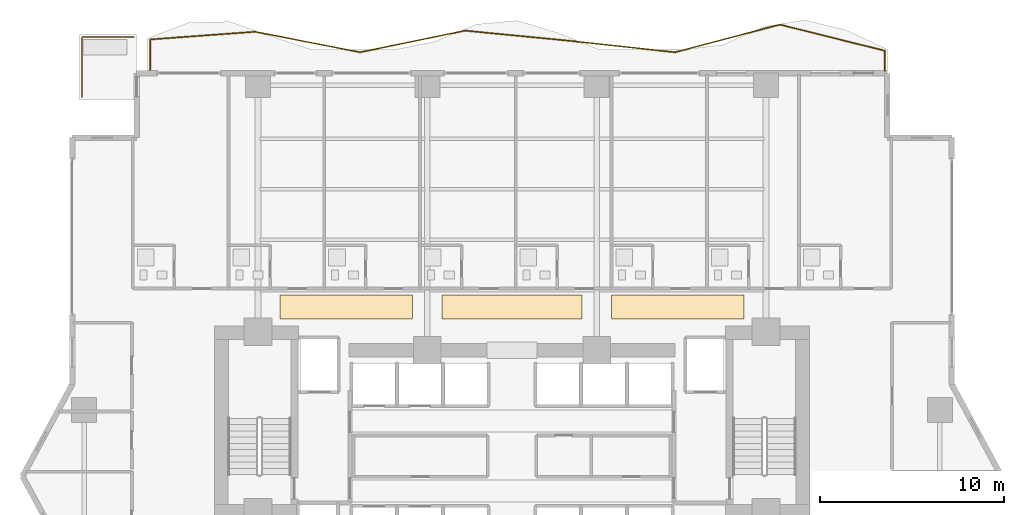
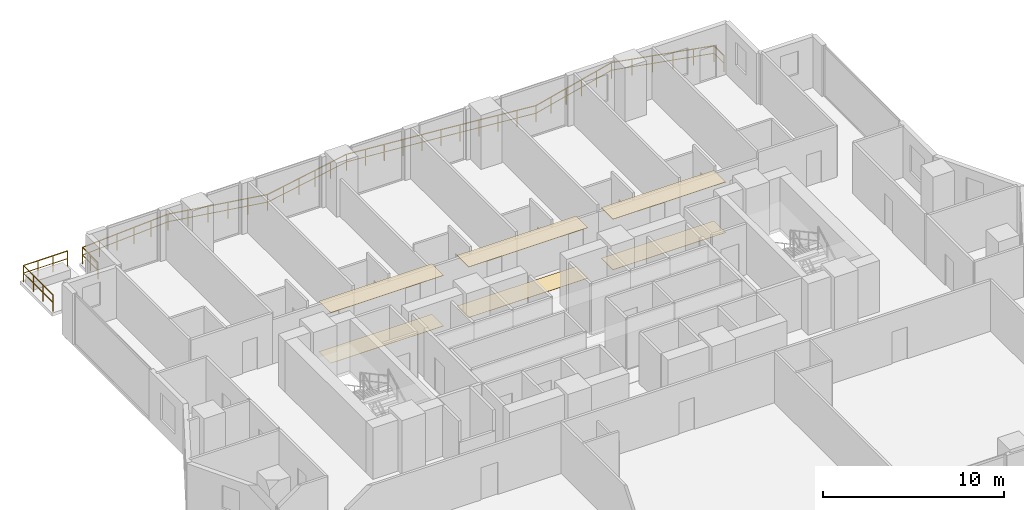
# One storey, part 28 of 29: 6 coverings, 2 railings.
"""IFC4 building model written with IfcOpenShell, lengths in metres."""

from ifc_helpers import new_model, si_unit, direction, frame, origin, origin_2d, place, context, subcontext, project, spatial, polyline, rectangle, outline, extrude, material, layer, layer_set, type_object, element, save


model = new_model("IFC4")

# Units and contexts
model_context = context("Model", 3, precision=1e-05, world=origin(), true_north=direction((0.0, 1.0)))
body_context = subcontext(model_context, "Body", "Model", "MODEL_VIEW")
ifc_project = project(units=[si_unit("LENGTHUNIT", "METRE"), si_unit("AREAUNIT", "SQUARE_METRE"), si_unit("VOLUMEUNIT", "CUBIC_METRE"), si_unit("PLANEANGLEUNIT", "RADIAN"), si_unit("MASSUNIT", "GRAM", prefix="KILO")], contexts=[model_context])

# Site, building, storey
site_placement = place(None, origin())
site = spatial("IfcSite", under=ifc_project, at=site_placement, CompositionType="ELEMENT")
building_placement = place(site_placement, origin())
building = spatial("IfcBuilding", under=site, at=building_placement, Name="Zuhayl Quay Hotel", CompositionType="ELEMENT")
storey_placement = place(building_placement, frame((0.0, 0.0, 106.60009765625)))
storey = spatial("IfcBuildingStorey", under=building, at=storey_placement, Name="L26", CompositionType="ELEMENT", Elevation=106.60009765625)

# Coverings
ifc_material_1 = material(Name="Acoustic Mineral-Fibre Gypsum Board")
ifc_layer_1 = layer(ifc_material_1, 0.02490234375, Name="Acoustic Mineral-Fibre Gypsum Board")
ifc_layer_set_1 = layer_set([ifc_layer_1], Name="Acoustic Mineral-Fibre Gypsum Board")
covering_type_1 = type_object("IfcCoveringType", Name="CV_CEIL_ACOUSTIC", PredefinedType="CEILING", material=ifc_layer_set_1)
covering_1_placement = place(storey_placement, frame((0.0, 0.0, 3.40478515625)))
element("IfcCovering", 1, at=covering_1_placement, inside=storey, type_object=covering_type_1, Name="L26 Guest Corridor Acoustic Ceiling CW", PredefinedType="CEILING", context=body_context, shape_type="SweptSolid", body=[
    extrude(outline(polyline([(-12.60009765625, 15.050048828125), (-5.39990234375, 15.050048828125), (-5.39990234375, 16.35009765625), (-12.60009765625, 16.35009765625), (-12.60009765625, 15.050048828125)])), origin(), (0.0, 0.0, 1.0), 0.025146484375),
])
covering_2_placement = place(storey_placement, frame((0.0, 0.0, 3.40478515625)))
element("IfcCovering", 2, at=covering_2_placement, inside=storey, type_object=covering_type_1, Name="L26 Guest Corridor Acoustic Ceiling CC", PredefinedType="CEILING", context=body_context, shape_type="SweptSolid", body=[
    extrude(outline(polyline([(-3.800048828125, 15.050048828125), (3.800048828125, 15.050048828125), (3.800048828125, 16.35009765625), (-3.800048828125, 16.35009765625), (-3.800048828125, 15.050048828125)])), origin(), (0.0, 0.0, 1.0), 0.025146484375),
])
covering_3_placement = place(storey_placement, frame((0.0, 0.0, 3.40478515625)))
element("IfcCovering", 3, at=covering_3_placement, inside=storey, type_object=covering_type_1, Name="L26 Guest Corridor Acoustic Ceiling CE", PredefinedType="CEILING", context=body_context, shape_type="SweptSolid", body=[
    extrude(outline(polyline([(5.39990234375, 15.050048828125), (12.60009765625, 15.050048828125), (12.60009765625, 16.35009765625), (5.39990234375, 16.35009765625), (5.39990234375, 15.050048828125)])), origin(), (0.0, 0.0, 1.0), 0.025146484375),
])
ifc_material_2 = material(Name="Polished Limestone Terrazzo", Category="masonry")
ifc_layer_2 = layer(ifc_material_2, 0.02001953125, Name="Polished Limestone Terrazzo", Category="masonry")
ifc_layer_set_2 = layer_set([ifc_layer_2], Name="Polished Limestone Terrazzo")
covering_type_2 = type_object("IfcCoveringType", Name="CV_FLOOR_TERRAZZO", PredefinedType="FLOORING", material=ifc_layer_set_2)
covering_4_placement = place(storey_placement, origin())
element("IfcCovering", 4, at=covering_4_placement, inside=storey, type_object=covering_type_2, Name="L26 Guest Corridor Terrazzo Runner CW", PredefinedType="FLOORING", context=body_context, shape_type="SweptSolid", body=[
    extrude(outline(polyline([(-12.60009765625, 15.050048828125), (-5.39990234375, 15.050048828125), (-5.39990234375, 16.35009765625), (-12.60009765625, 16.35009765625), (-12.60009765625, 15.050048828125)])), origin(), (0.0, 0.0, 1.0), 0.02001953125),
])
covering_5_placement = place(storey_placement, origin())
element("IfcCovering", 5, at=covering_5_placement, inside=storey, type_object=covering_type_2, Name="L26 Guest Corridor Terrazzo Runner CC", PredefinedType="FLOORING", context=body_context, shape_type="SweptSolid", body=[
    extrude(outline(polyline([(-3.800048828125, 15.050048828125), (3.800048828125, 15.050048828125), (3.800048828125, 16.35009765625), (-3.800048828125, 16.35009765625), (-3.800048828125, 15.050048828125)])), origin(), (0.0, 0.0, 1.0), 0.02001953125),
])
covering_6_placement = place(storey_placement, origin())
element("IfcCovering", 6, at=covering_6_placement, inside=storey, type_object=covering_type_2, Name="L26 Guest Corridor Terrazzo Runner CE", PredefinedType="FLOORING", context=body_context, shape_type="SweptSolid", body=[
    extrude(outline(polyline([(5.39990234375, 15.050048828125), (12.60009765625, 15.050048828125), (12.60009765625, 16.35009765625), (5.39990234375, 16.35009765625), (5.39990234375, 15.050048828125)])), origin(), (0.0, 0.0, 1.0), 0.02001953125),
])

# Railings
ifc_material_3 = material(Name="Anodised Aluminium and Laminated Glass", Category="aluminium")
railing_type = type_object("IfcRailingType", Name="RL_EXT_BAL_1100", PredefinedType="BALUSTRADE", material=ifc_material_3)
railing_1_placement = place(storey_placement, frame((-19.659912109375, 28.52001953125, 0.0)))
element("IfcRailing", 7, at=railing_1_placement, inside=storey, type_object=railing_type, Name="L26 Balcony and Terrace Guard GR_L26_BAL_N", PredefinedType="BALUSTRADE", context=body_context, shape_type="SweptSolid", body=[
    extrude(rectangle(XDim=0.048095703125, YDim=0.048095703125, at=origin_2d()), frame((0.0, 0.0, 1.09619140625), z_axis=(0.0, 1.0, 0.0), x_axis=(-1.0, 0.0, 0.0)), (0.0, 0.0, 1.0), 1.716796875),
    extrude(rectangle(XDim=0.0361328125, YDim=0.0361328125, at=origin_2d()), frame((0.0, 0.0, 0.58251953125), z_axis=(0.0, 1.0, 0.0), x_axis=(-1.0, 0.0, 0.0)), (0.0, 0.0, 1.0), 1.716796875),
    extrude(rectangle(XDim=0.048095703125, YDim=0.048095703125, at=origin_2d()), frame((0.0, 1.716796875, 1.09619140625), z_axis=(0.997331221891, 0.073009820174, 0.0), x_axis=(-0.073009820174, 0.997331221891, 0.0)), (0.0, 0.0, 1.0), 5.71826171875),
    extrude(rectangle(XDim=0.0361328125, YDim=0.0361328125, at=origin_2d()), frame((0.0, 1.716796875, 0.58251953125), z_axis=(0.997331221891, 0.073009820174, 0.0), x_axis=(-0.073009820174, 0.997331221891, 0.0)), (0.0, 0.0, 1.0), 5.71826171875),
    extrude(rectangle(XDim=0.048095703125, YDim=0.048095703125, at=origin_2d()), frame((5.702880859375, 2.13427734375, 1.09619140625), z_axis=(0.981440474785, -0.19176703172, 0.0), x_axis=(0.19176703172, 0.981440474785, 0.0)), (0.0, 0.0, 1.0), 5.810546875),
    extrude(rectangle(XDim=0.0361328125, YDim=0.0361328125, at=origin_2d()), frame((5.702880859375, 2.13427734375, 0.58251953125), z_axis=(0.981440474785, -0.19176703172, 0.0), x_axis=(0.19176703172, 0.981440474785, 0.0)), (0.0, 0.0, 1.0), 5.810546875),
    extrude(rectangle(XDim=0.048095703125, YDim=0.048095703125, at=origin_2d()), frame((11.405517578125, 1.02001953125, 1.09619140625), z_axis=(0.979425610518, 0.201805533774, 0.0), x_axis=(-0.201805533774, 0.979425610518, 0.0)), (0.0, 0.0, 1.0), 5.82275390625),
    extrude(rectangle(XDim=0.0361328125, YDim=0.0361328125, at=origin_2d()), frame((11.405517578125, 1.02001953125, 0.58251953125), z_axis=(0.979425610518, 0.201805533774, 0.0), x_axis=(-0.201805533774, 0.979425610518, 0.0)), (0.0, 0.0, 1.0), 5.82275390625),
    extrude(rectangle(XDim=0.048095703125, YDim=0.048095703125, at=origin_2d()), frame((17.1083984375, 2.195068359375, 1.09619140625), z_axis=(0.995315422736, -0.096680966402, 0.0), x_axis=(0.096680966402, 0.995315422736, 0.0)), (0.0, 0.0, 1.0), 5.729736328125),
    extrude(rectangle(XDim=0.0361328125, YDim=0.0361328125, at=origin_2d()), frame((17.1083984375, 2.195068359375, 0.58251953125), z_axis=(0.995315422736, -0.096680966402, 0.0), x_axis=(0.096680966402, 0.995315422736, 0.0)), (0.0, 0.0, 1.0), 5.729736328125),
    extrude(rectangle(XDim=0.048095703125, YDim=0.048095703125, at=origin_2d()), frame((22.811279296875, 1.64111328125, 1.09619140625), z_axis=(0.99412168092, -0.108268571268, 0.0), x_axis=(0.108268571268, 0.99412168092, 0.0)), (0.0, 0.0, 1.0), 5.736572265625),
    extrude(rectangle(XDim=0.0361328125, YDim=0.0361328125, at=origin_2d()), frame((22.811279296875, 1.64111328125, 0.58251953125), z_axis=(0.99412168092, -0.108268571268, 0.0), x_axis=(0.108268571268, 0.99412168092, 0.0)), (0.0, 0.0, 1.0), 5.736572265625),
    extrude(rectangle(XDim=0.048095703125, YDim=0.048095703125, at=origin_2d()), frame((28.51416015625, 1.02001953125, 1.09619140625), z_axis=(0.966973652011, 0.254876354957, 0.0), x_axis=(-0.254876354957, 0.966973652011, 0.0)), (0.0, 0.0, 1.0), 5.897705078125),
    extrude(rectangle(XDim=0.0361328125, YDim=0.0361328125, at=origin_2d()), frame((28.51416015625, 1.02001953125, 0.58251953125), z_axis=(0.966973652011, 0.254876354957, 0.0), x_axis=(-0.254876354957, 0.966973652011, 0.0)), (0.0, 0.0, 1.0), 5.897705078125),
    extrude(rectangle(XDim=0.048095703125, YDim=0.048095703125, at=origin_2d()), frame((34.217041015625, 2.523193359375, 1.09619140625), z_axis=(0.970296241283, -0.241919830011, 0.0), x_axis=(0.241919830011, 0.970296241283, 0.0)), (0.0, 0.0, 1.0), 5.87744140625),
    extrude(rectangle(XDim=0.0361328125, YDim=0.0361328125, at=origin_2d()), frame((34.217041015625, 2.523193359375, 0.58251953125), z_axis=(0.970296241283, -0.241919830011, 0.0), x_axis=(0.241919830011, 0.970296241283, 0.0)), (0.0, 0.0, 1.0), 5.87744140625),
    extrude(rectangle(XDim=0.048095703125, YDim=0.048095703125, at=origin_2d()), frame((39.919921875, 1.101318359375, 1.09619140625), z_axis=(0.0, -1.0, 0.0), x_axis=(1.0, 0.0, 0.0)), (0.0, 0.0, 1.0), 1.101318359375),
    extrude(rectangle(XDim=0.0361328125, YDim=0.0361328125, at=origin_2d()), frame((39.919921875, 1.101318359375, 0.58251953125), z_axis=(0.0, -1.0, 0.0), x_axis=(1.0, 0.0, 0.0)), (0.0, 0.0, 1.0), 1.101318359375),
    extrude(rectangle(XDim=0.0419921875, YDim=0.0419921875, at=origin_2d()), origin(), (0.0, 0.0, 1.0), 1.072021484375),
    extrude(rectangle(XDim=0.0419921875, YDim=0.0419921875, at=origin_2d()), frame((0.0, 0.8583984375, 0.0)), (0.0, 0.0, 1.0), 1.072021484375),
    extrude(rectangle(XDim=0.0419921875, YDim=0.0419921875, at=origin_2d()), frame((0.0, 1.716796875, 0.0)), (0.0, 0.0, 1.0), 1.072021484375),
    extrude(rectangle(XDim=0.0419921875, YDim=0.0419921875, at=origin_2d()), frame((1.140625, 1.80029296875, 0.0)), (0.0, 0.0, 1.0), 1.072021484375),
    extrude(rectangle(XDim=0.0419921875, YDim=0.0419921875, at=origin_2d()), frame((2.28125, 1.8837890625, 0.0)), (0.0, 0.0, 1.0), 1.072021484375),
    extrude(rectangle(XDim=0.0419921875, YDim=0.0419921875, at=origin_2d()), frame((3.421630859375, 1.96728515625, 0.0)), (0.0, 0.0, 1.0), 1.072021484375),
    extrude(rectangle(XDim=0.0419921875, YDim=0.0419921875, at=origin_2d()), frame((4.562255859375, 2.05078125, 0.0)), (0.0, 0.0, 1.0), 1.072021484375),
    extrude(rectangle(XDim=0.0419921875, YDim=0.0419921875, at=origin_2d()), frame((5.702880859375, 2.13427734375, 0.0)), (0.0, 0.0, 1.0), 1.072021484375),
    extrude(rectangle(XDim=0.0419921875, YDim=0.0419921875, at=origin_2d()), frame((6.843505859375, 1.911376953125, 0.0)), (0.0, 0.0, 1.0), 1.072021484375),
    extrude(rectangle(XDim=0.0419921875, YDim=0.0419921875, at=origin_2d()), frame((7.98388671875, 1.6884765625, 0.0)), (0.0, 0.0, 1.0), 1.072021484375),
    extrude(rectangle(XDim=0.0419921875, YDim=0.0419921875, at=origin_2d()), frame((9.12451171875, 1.4658203125, 0.0)), (0.0, 0.0, 1.0), 1.072021484375),
    extrude(rectangle(XDim=0.0419921875, YDim=0.0419921875, at=origin_2d()), frame((10.264892578125, 1.242919921875, 0.0)), (0.0, 0.0, 1.0), 1.072021484375),
    extrude(rectangle(XDim=0.0419921875, YDim=0.0419921875, at=origin_2d()), frame((11.405517578125, 1.02001953125, 0.0)), (0.0, 0.0, 1.0), 1.072021484375),
    extrude(rectangle(XDim=0.0419921875, YDim=0.0419921875, at=origin_2d()), frame((12.546142578125, 1.255126953125, 0.0)), (0.0, 0.0, 1.0), 1.072021484375),
    extrude(rectangle(XDim=0.0419921875, YDim=0.0419921875, at=origin_2d()), frame((13.686767578125, 1.489990234375, 0.0)), (0.0, 0.0, 1.0), 1.072021484375),
    extrude(rectangle(XDim=0.0419921875, YDim=0.0419921875, at=origin_2d()), frame((14.8271484375, 1.72509765625, 0.0)), (0.0, 0.0, 1.0), 1.072021484375),
    extrude(rectangle(XDim=0.0419921875, YDim=0.0419921875, at=origin_2d()), frame((15.9677734375, 1.9599609375, 0.0)), (0.0, 0.0, 1.0), 1.072021484375),
    extrude(rectangle(XDim=0.0419921875, YDim=0.0419921875, at=origin_2d()), frame((17.1083984375, 2.195068359375, 0.0)), (0.0, 0.0, 1.0), 1.072021484375),
    extrude(rectangle(XDim=0.0419921875, YDim=0.0419921875, at=origin_2d()), frame((18.2490234375, 2.084228515625, 0.0)), (0.0, 0.0, 1.0), 1.072021484375),
    extrude(rectangle(XDim=0.0419921875, YDim=0.0419921875, at=origin_2d()), frame((19.3896484375, 1.973388671875, 0.0)), (0.0, 0.0, 1.0), 1.072021484375),
    extrude(rectangle(XDim=0.0419921875, YDim=0.0419921875, at=origin_2d()), frame((20.530029296875, 1.86279296875, 0.0)), (0.0, 0.0, 1.0), 1.072021484375),
    extrude(rectangle(XDim=0.0419921875, YDim=0.0419921875, at=origin_2d()), frame((21.670654296875, 1.751953125, 0.0)), (0.0, 0.0, 1.0), 1.072021484375),
    extrude(rectangle(XDim=0.0419921875, YDim=0.0419921875, at=origin_2d()), frame((22.811279296875, 1.64111328125, 0.0)), (0.0, 0.0, 1.0), 1.072021484375),
    extrude(rectangle(XDim=0.0419921875, YDim=0.0419921875, at=origin_2d()), frame((23.951904296875, 1.516845703125, 0.0)), (0.0, 0.0, 1.0), 1.072021484375),
    extrude(rectangle(XDim=0.0419921875, YDim=0.0419921875, at=origin_2d()), frame((25.092529296875, 1.392578125, 0.0)), (0.0, 0.0, 1.0), 1.072021484375),
    extrude(rectangle(XDim=0.0419921875, YDim=0.0419921875, at=origin_2d()), frame((26.23291015625, 1.2685546875, 0.0)), (0.0, 0.0, 1.0), 1.072021484375),
    extrude(rectangle(XDim=0.0419921875, YDim=0.0419921875, at=origin_2d()), frame((27.37353515625, 1.144287109375, 0.0)), (0.0, 0.0, 1.0), 1.072021484375),
    extrude(rectangle(XDim=0.0419921875, YDim=0.0419921875, at=origin_2d()), frame((28.51416015625, 1.02001953125, 0.0)), (0.0, 0.0, 1.0), 1.072021484375),
    extrude(rectangle(XDim=0.0419921875, YDim=0.0419921875, at=origin_2d()), frame((29.65478515625, 1.320556640625, 0.0)), (0.0, 0.0, 1.0), 1.072021484375),
    extrude(rectangle(XDim=0.0419921875, YDim=0.0419921875, at=origin_2d()), frame((30.79541015625, 1.621337890625, 0.0)), (0.0, 0.0, 1.0), 1.072021484375),
    extrude(rectangle(XDim=0.0419921875, YDim=0.0419921875, at=origin_2d()), frame((31.935791015625, 1.921875, 0.0)), (0.0, 0.0, 1.0), 1.072021484375),
    extrude(rectangle(XDim=0.0419921875, YDim=0.0419921875, at=origin_2d()), frame((33.076416015625, 2.22265625, 0.0)), (0.0, 0.0, 1.0), 1.072021484375),
    extrude(rectangle(XDim=0.0419921875, YDim=0.0419921875, at=origin_2d()), frame((34.217041015625, 2.523193359375, 0.0)), (0.0, 0.0, 1.0), 1.072021484375),
    extrude(rectangle(XDim=0.0419921875, YDim=0.0419921875, at=origin_2d()), frame((35.357666015625, 2.23876953125, 0.0)), (0.0, 0.0, 1.0), 1.072021484375),
    extrude(rectangle(XDim=0.0419921875, YDim=0.0419921875, at=origin_2d()), frame((36.498291015625, 1.954345703125, 0.0)), (0.0, 0.0, 1.0), 1.072021484375),
    extrude(rectangle(XDim=0.0419921875, YDim=0.0419921875, at=origin_2d()), frame((37.638671875, 1.670166015625, 0.0)), (0.0, 0.0, 1.0), 1.072021484375),
    extrude(rectangle(XDim=0.0419921875, YDim=0.0419921875, at=origin_2d()), frame((38.779296875, 1.3857421875, 0.0)), (0.0, 0.0, 1.0), 1.072021484375),
    extrude(rectangle(XDim=0.0419921875, YDim=0.0419921875, at=origin_2d()), frame((39.919921875, 1.101318359375, 0.0)), (0.0, 0.0, 1.0), 1.072021484375),
    extrude(rectangle(XDim=0.0419921875, YDim=0.0419921875, at=origin_2d()), frame((39.919921875, 0.0, 0.0)), (0.0, 0.0, 1.0), 1.072021484375),
])
railing_2_placement = place(storey_placement, frame((-20.5400390625, 30.360107421875, 0.0)))
element("IfcRailing", 8, at=railing_2_placement, inside=storey, type_object=railing_type, Name="L26 Balcony and Terrace Guard GR_L26_SPIRAL_NW", PredefinedType="BALUSTRADE", context=body_context, shape_type="SweptSolid", body=[
    extrude(rectangle(XDim=0.048095703125, YDim=0.048095703125, at=origin_2d()), frame((0.0, 0.0, 1.09619140625), z_axis=(-1.0, 0.0, 0.0), x_axis=(0.0, -1.0, 0.0)), (0.0, 0.0, 1.0), 2.820068359375),
    extrude(rectangle(XDim=0.0361328125, YDim=0.0361328125, at=origin_2d()), frame((0.0, 0.0, 0.58251953125), z_axis=(-1.0, 0.0, 0.0), x_axis=(0.0, -1.0, 0.0)), (0.0, 0.0, 1.0), 2.820068359375),
    extrude(rectangle(XDim=0.048095703125, YDim=0.048095703125, at=origin_2d()), frame((-2.820068359375, 0.0, 1.09619140625), z_axis=(0.0, -1.0, 0.0), x_axis=(1.0, 0.0, 0.0)), (0.0, 0.0, 1.0), 3.27001953125),
    extrude(rectangle(XDim=0.0361328125, YDim=0.0361328125, at=origin_2d()), frame((-2.820068359375, 0.0, 0.58251953125), z_axis=(0.0, -1.0, 0.0), x_axis=(1.0, 0.0, 0.0)), (0.0, 0.0, 1.0), 3.27001953125),
    extrude(rectangle(XDim=0.0419921875, YDim=0.0419921875, at=origin_2d()), origin(), (0.0, 0.0, 1.0), 1.072021484375),
    extrude(rectangle(XDim=0.0419921875, YDim=0.0419921875, at=origin_2d()), frame((-0.93994140625, 0.0, 0.0)), (0.0, 0.0, 1.0), 1.072021484375),
    extrude(rectangle(XDim=0.0419921875, YDim=0.0419921875, at=origin_2d()), frame((-1.880126953125, 0.0, 0.0)), (0.0, 0.0, 1.0), 1.072021484375),
    extrude(rectangle(XDim=0.0419921875, YDim=0.0419921875, at=origin_2d()), frame((-2.820068359375, 0.0, 0.0)), (0.0, 0.0, 1.0), 1.072021484375),
    extrude(rectangle(XDim=0.0419921875, YDim=0.0419921875, at=origin_2d()), frame((-2.820068359375, -1.090087890625, 0.0)), (0.0, 0.0, 1.0), 1.072021484375),
    extrude(rectangle(XDim=0.0419921875, YDim=0.0419921875, at=origin_2d()), frame((-2.820068359375, -2.179931640625, 0.0)), (0.0, 0.0, 1.0), 1.072021484375),
    extrude(rectangle(XDim=0.0419921875, YDim=0.0419921875, at=origin_2d()), frame((-2.820068359375, -3.27001953125, 0.0)), (0.0, 0.0, 1.0), 1.072021484375),
])

save(model, "model.ifc")
